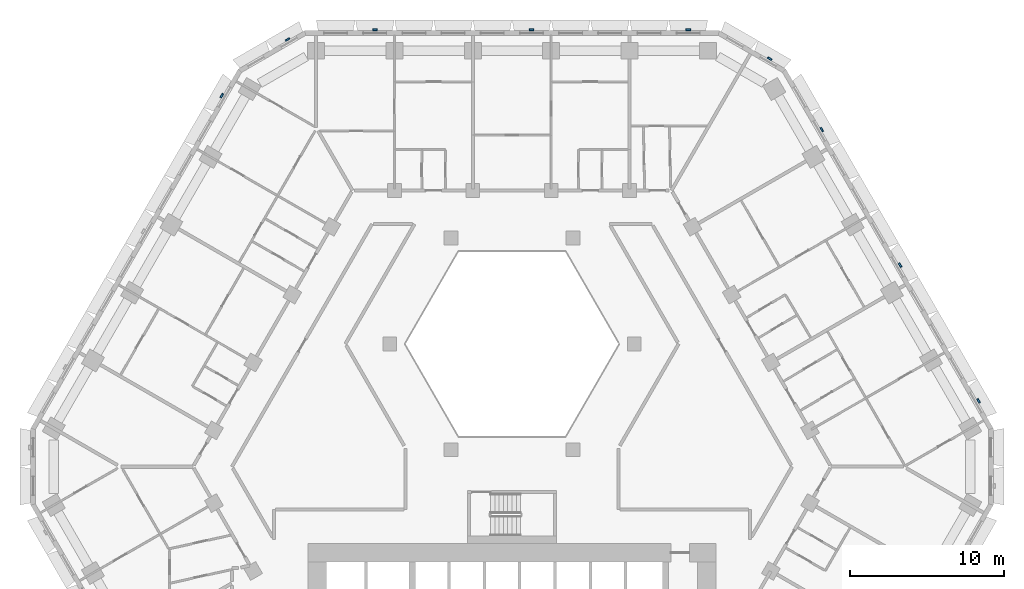
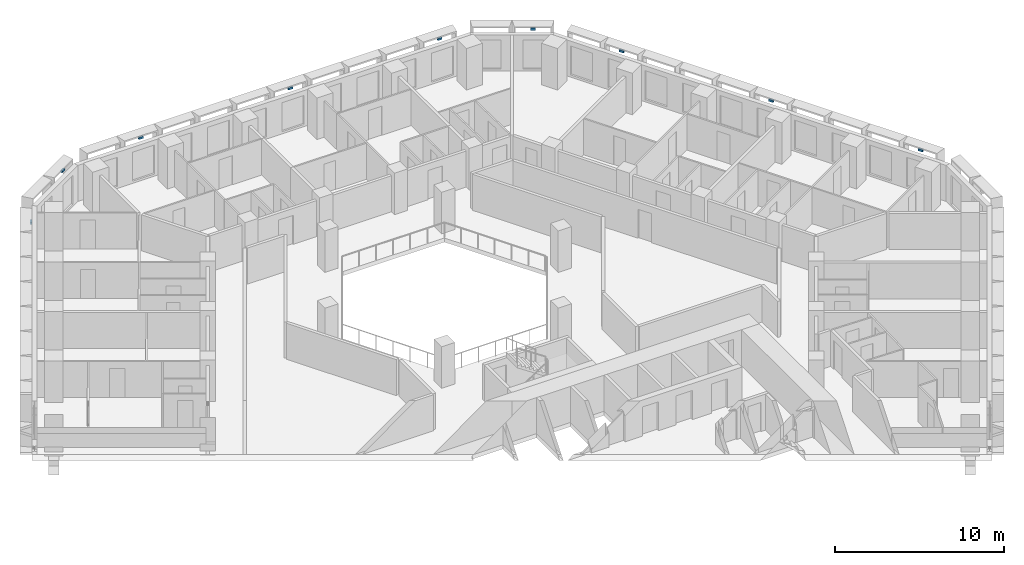
# One storey, part 15 of 21: 9 discrete accessories.
"""IFC4 building model written with IfcOpenShell, lengths in metres."""

from ifc_helpers import new_model, si_unit, direction, frame, origin, place, context, subcontext, project, spatial, polyline, outline, extrude, source, transform, mapped, material, type_object, type_shapes, element, save


model = new_model("IFC4")

# Units and contexts
model_context = context("Model", 3, precision=1e-05, world=origin(), true_north=direction((0.0, 1.0)))
body_context = subcontext(model_context, "Body", "Model", "MODEL_VIEW")
ifc_project = project(units=[si_unit("LENGTHUNIT", "METRE"), si_unit("AREAUNIT", "SQUARE_METRE"), si_unit("VOLUMEUNIT", "CUBIC_METRE"), si_unit("PLANEANGLEUNIT", "RADIAN"), si_unit("MASSUNIT", "GRAM", prefix="KILO")], contexts=[model_context])

# Site, building, storey
site_placement = place(None, origin())
site = spatial("IfcSite", under=ifc_project, at=site_placement, CompositionType="ELEMENT")
building_placement = place(site_placement, origin())
building = spatial("IfcBuilding", under=site, at=building_placement, Name="Beryl Residences", CompositionType="ELEMENT")
storey_placement = place(building_placement, frame((0.0, 0.0, 59.39990234375)))
storey = spatial("IfcBuildingStorey", under=building, at=storey_placement, Name="L18", CompositionType="ELEMENT", Elevation=59.39990234375)

# Discrete accessories
ifc_material = material(Name="Steel S355", Category="steel")
discrete_accessory_type = type_object("IfcDiscreteAccessoryType", Name="BR1 frame bracket 300 x 120 x 150 mm", PredefinedType="BRACKET", material=ifc_material)
shared_shape = source(origin(), body_context, "Body", "SweptSolid", [
    extrude(outline(polyline([(-0.14990234375, 0.0), (0.14990234375, 0.0), (0.14990234375, 0.1201171875), (-0.14990234375, 0.1201171875), (-0.14990234375, 0.0)])), origin(), (0.0, 0.0, 1.0), 0.14990234375),
])
type_shapes(discrete_accessory_type, [shared_shape])
for number, where, z_axis, x_axis, name in (
    (1, (11.48291015625, 28.39990234375, 2.75), (0.0, 0.0, 1.0), (1.0, 0.0, 0.0), "BR1 bracket L18 N 1"),
    (2, (1.27490234375, 28.39990234375, 2.75), (0.0, 0.0, 1.0), (1.0, 0.0, 0.0), "BR1 bracket L18 N 5"),
    (3, (-8.93310546875, 28.39990234375, 2.75), (0.0, 0.0, 1.0), (1.0, 0.0, 0.0), "BR1 bracket L18 N 9"),
    (4, (-14.593017578125, 27.77490234375, 2.75), (0.0, 0.0, 1.0), (0.866025403784, 0.5, 0.0), "BR1 bracket L18 N-NW 1"),
    (5, (-18.85400390625, 24.14501953125, 2.75), (0.0, 0.0, 1.0), (0.5, 0.866025403784, 0.0), "BR1 bracket L18 NW 1"),
    (6, (30.3359375, 4.2548828125, 2.75), (0.0, 0.0, 1.0), (0.5, -0.866025403784, 0.0), "BR1 bracket L18 NE 1"),
    (7, (25.23193359375, 13.095947265625, 2.75), (0.0, 0.0, 1.0), (0.5, -0.866025403784, 0.0), "BR1 bracket L18 NE 5"),
    (8, (20.12890625, 21.93603515625, 2.75), (0.0, 0.0, 1.0), (0.5, -0.866025403784, 0.0), "BR1 bracket L18 NE 9"),
    (9, (16.758056640625, 26.52490234375, 2.75), (0.0, 0.0, 1.0), (0.866025403784, -0.5, 0.0), "BR1 bracket L18 NE-N 1"),
):
    element("IfcDiscreteAccessory", number, at=place(storey_placement, frame(where, z_axis=z_axis, x_axis=x_axis)), inside=storey, type_object=discrete_accessory_type, Name=name, PredefinedType="BRACKET", context=body_context, shape_type="MappedRepresentation", body=[
        mapped(shared_shape, transform((0.0, 0.0, 0.0))),
    ])

save(model, "model.ifc")
